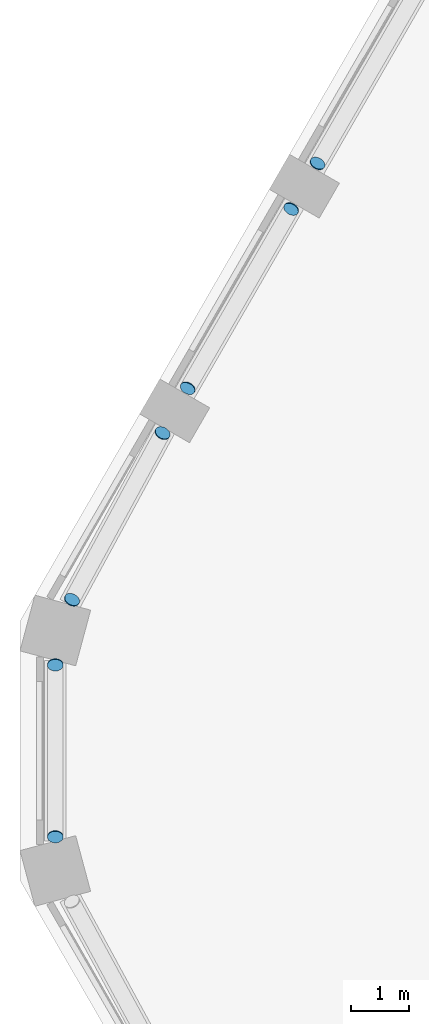
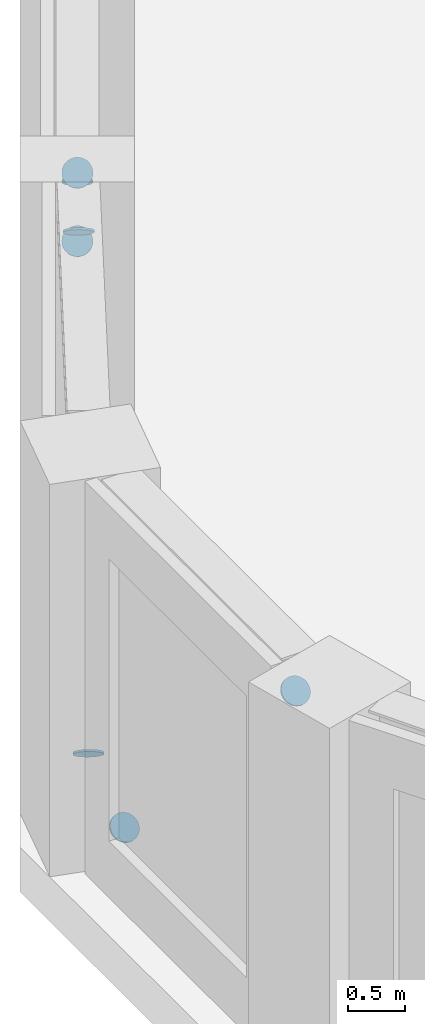
# One storey, part 9 of 14: 7 discrete accessories.
"""IFC4 building model written with IfcOpenShell, lengths in metres."""

from ifc_helpers import new_model, si_unit, direction, frame, origin, origin_2d, place, context, subcontext, project, spatial, circle, extrude, material, material_profile, profile_set, type_object, element, save


model = new_model("IFC4")

# Units and contexts
model_context = context("Model", 3, precision=1e-05, world=origin(), true_north=direction((0.0, 1.0)))
body_context = subcontext(model_context, "Body", "Model", "MODEL_VIEW")
ifc_project = project(units=[si_unit("LENGTHUNIT", "METRE"), si_unit("AREAUNIT", "SQUARE_METRE"), si_unit("VOLUMEUNIT", "CUBIC_METRE"), si_unit("PLANEANGLEUNIT", "RADIAN"), si_unit("MASSUNIT", "GRAM", prefix="KILO")], contexts=[model_context])

# Site, building, storey
site_placement = place(None, origin())
site = spatial("IfcSite", under=ifc_project, at=site_placement, CompositionType="ELEMENT")
building_placement = place(site_placement, origin())
building = spatial("IfcBuilding", under=site, at=building_placement, Name="Dhurran Vertical Campus", CompositionType="ELEMENT")
storey_placement = place(building_placement, frame((0.0, 0.0, 282.0)))
storey = spatial("IfcBuildingStorey", under=building, at=storey_placement, Name="L70 Plant", CompositionType="ELEMENT", Elevation=282.0)

# Discrete accessories
ifc_material = material(Name="Steel S355J2", Category="steel")
ifc_material_profile = material_profile(ifc_material, circle(Radius=0.136474609375, at=origin_2d()), Name="Tube end cap 273 x 20")
ifc_profile_set = profile_set([ifc_material_profile], Name="Steel S355J2")
discrete_accessory_type = type_object("IfcDiscreteAccessoryType", Name="Tube end cap 273 x 20", PredefinedType="USERDEFINED", material=ifc_profile_set)
for number, where, z_axis, x_axis, name in (
    (1, (-23.48291015625, 10.194580078125, 0.473388671875), (-0.376068504711, -0.642955830635, -0.66721831481), (0.863187603129, -0.504883315038, 0.0), "EC1 belt L70 d27 capA"),
    (2, (-23.9453125, 9.393798828125, 0.473388671875), (0.376068504711, 0.642955830635, -0.66721831481), (-0.863187603129, 0.504883315038, 0.0), "EC1 belt L70 d28 capA"),
    (3, (-25.73291015625, 6.29736328125, 3.70166015625), (-0.376068504711, -0.642955830635, 0.66721831481), (0.863187603129, -0.504883315038, 0.0), "EC1 belt L70 d28 capB"),
):
    element("IfcDiscreteAccessory", number, at=place(storey_placement, frame(where, z_axis=z_axis, x_axis=x_axis)), inside=storey, type_object=discrete_accessory_type, Name=name, ObjectType="END CAP", PredefinedType="USERDEFINED", context=body_context, shape_type="SweptSolid", body=[
        extrude(circle(Radius=0.136474609375, at=origin_2d()), origin(), (0.0, 0.0, 1.0), 0.02001953125),
    ])
discrete_accessory_1_placement = place(storey_placement, frame((-27.7421875, 2.6240234375, 0.468994140625), z_axis=(-0.343771839277, -0.626155850111, -0.699821244242), x_axis=(0.87657855078, -0.481258812193, 0.0)))
element("IfcDiscreteAccessory", 4, at=discrete_accessory_1_placement, inside=storey, type_object=discrete_accessory_type, Name="EC1 belt L70 d29 capA", ObjectType="END CAP", PredefinedType="USERDEFINED", context=body_context, shape_type="SweptSolid", body=[
    extrude(circle(Radius=0.136474609375, at=origin_2d()), origin(), (0.0, 0.0, 1.0), 0.019775390625),
])
for number, where, z_axis, x_axis, name in (
    (5, (-26.17822265625, 5.503173828125, 3.705810546875), (0.340830394523, 0.620798218596, 0.706005817226), (-0.87657855078, 0.481258812193, 0.0), "EC1 belt L70 d29 capB"),
    (6, (-28.03466796875, 1.484130859375, 0.464111328125), (0.0, 0.669637121797, -0.742688444175), (-1.0, 0.0, 0.0), "EC1 belt L70 d30 capA"),
):
    element("IfcDiscreteAccessory", number, at=place(storey_placement, frame(where, z_axis=z_axis, x_axis=x_axis)), inside=storey, type_object=discrete_accessory_type, Name=name, ObjectType="END CAP", PredefinedType="USERDEFINED", context=body_context, shape_type="SweptSolid", body=[
        extrude(circle(Radius=0.136474609375, at=origin_2d()), origin(), (0.0, 0.0, 1.0), 0.02001953125),
    ])
discrete_accessory_2_placement = place(storey_placement, frame((-28.03466796875, -1.484130859375, 3.7109375), z_axis=(0.0, -0.675724628517, 0.737154140201), x_axis=(1.0, 0.0, 0.0)))
element("IfcDiscreteAccessory", 7, at=discrete_accessory_2_placement, inside=storey, type_object=discrete_accessory_type, Name="EC1 belt L70 d30 capB", ObjectType="END CAP", PredefinedType="USERDEFINED", context=body_context, shape_type="SweptSolid", body=[
    extrude(circle(Radius=0.136474609375, at=origin_2d()), origin(), (0.0, 0.0, 1.0), 0.019775390625),
])

save(model, "model.ifc")
